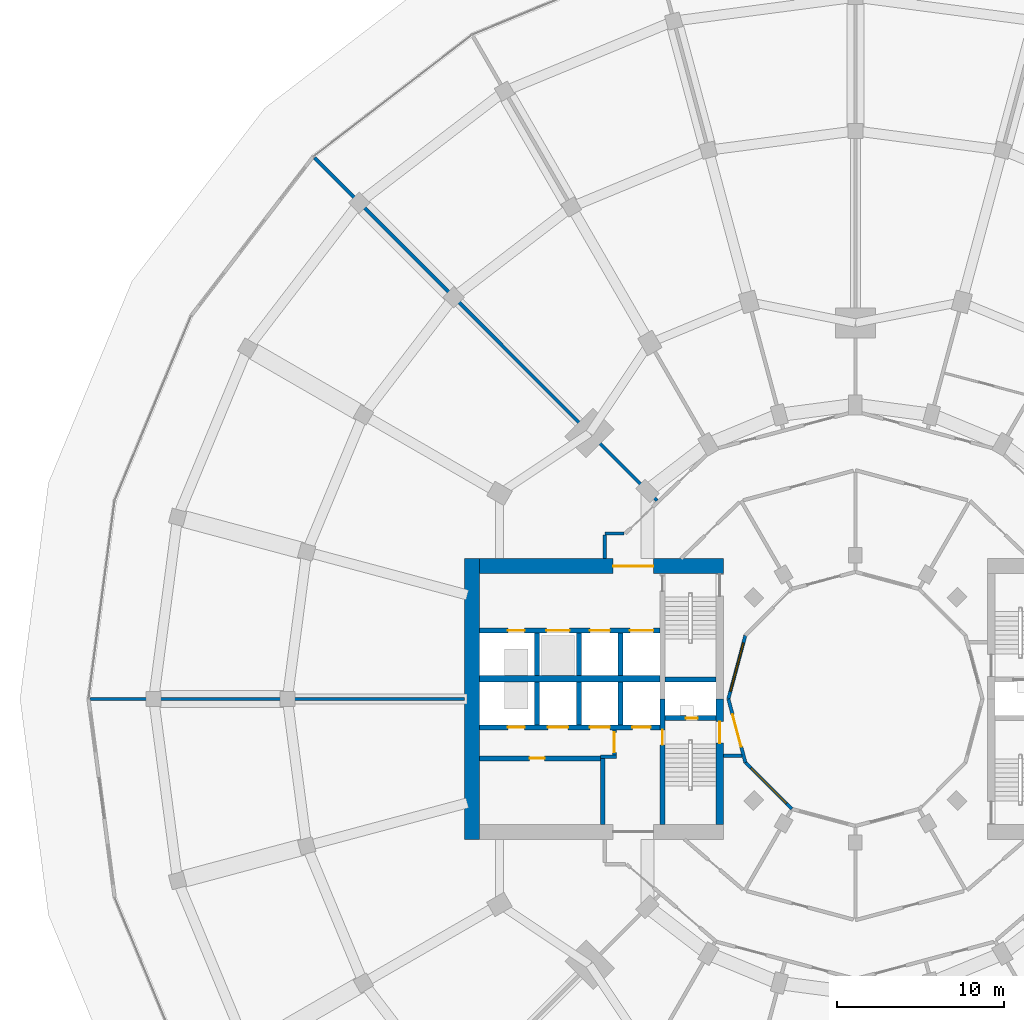
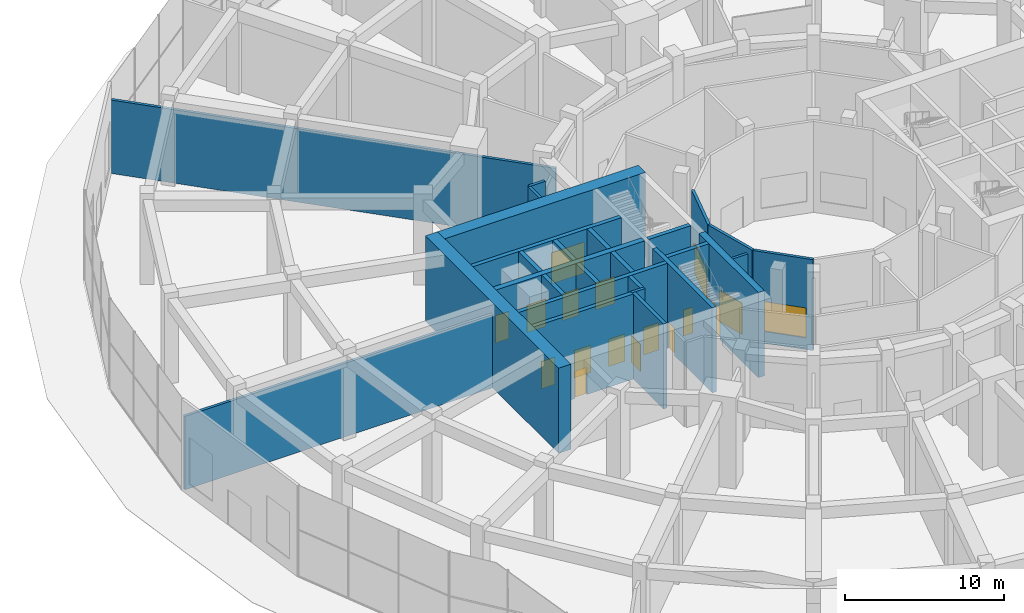
# One storey, part 25 of 31: 27 walls, 15 doors, 2 windows, 17 openings.
"""IFC4 building model written with IfcOpenShell, lengths in metres."""

from ifc_helpers import new_model, si_unit, direction, frame, frame_2d, origin, place, context, subcontext, project, spatial, rectangle, extrude, material, layer, layer_set, type_object, element, fill, save


model = new_model("IFC4")

# Units and contexts
model_context = context("Model", 3, precision=1e-05, world=origin(), true_north=direction((0.0, 1.0)))
body_context = subcontext(model_context, "Body", "Model", "MODEL_VIEW")
ifc_project = project(units=[si_unit("LENGTHUNIT", "METRE"), si_unit("AREAUNIT", "SQUARE_METRE"), si_unit("VOLUMEUNIT", "CUBIC_METRE"), si_unit("PLANEANGLEUNIT", "RADIAN"), si_unit("MASSUNIT", "GRAM", prefix="KILO")], contexts=[model_context])

# Site, building, storey
site_placement = place(None, origin())
site = spatial("IfcSite", under=ifc_project, at=site_placement, CompositionType="ELEMENT")
building_placement = place(site_placement, origin())
building = spatial("IfcBuilding", under=site, at=building_placement, Name="Torre Brocal", CompositionType="ELEMENT")
storey_placement = place(building_placement, origin())
storey = spatial("IfcBuildingStorey", under=building, at=storey_placement, Name="L00", CompositionType="ELEMENT", Elevation=0.0)

# Walls
ifc_material_1 = material(Name="Concrete C80", Category="concrete")
ifc_layer_1 = layer(ifc_material_1, 0.199951171875)
ifc_layer_set_1 = layer_set([ifc_layer_1], Name="Concrete C80")
wall_type_1 = type_object("IfcWallType", Name="CORE WALL 200 C80 UNDER 450 SLAB", PredefinedType="SHEAR", material=ifc_layer_set_1)
wall_1_placement = place(storey_placement, frame((65.699951171875, 71.550048828125, 0.0), z_axis=(0.0, 0.0, 1.0), x_axis=(-1.0, 0.0, 0.0)))
element("IfcWall", 1, at=wall_1_placement, inside=storey, type_object=wall_type_1, Name="Wall CW200-80-S450", PredefinedType="SHEAR", context=body_context, shape_type="SweptSolid", body=[
    extrude(rectangle(XDim=0.949951171875, YDim=0.199951171875, at=frame_2d((0.47509765625, 0.0))), origin(), (0.0, 0.0, 1.0), 6.550048828125),
])
ifc_material_2 = material(Name="Concrete C80", Category="concrete")
ifc_layer_2 = layer(ifc_material_2, 0.25)
ifc_layer_set_2 = layer_set([ifc_layer_2], Name="Concrete C80")
wall_type_2 = type_object("IfcWallType", Name="CORE WALL 250 C80 UNDER 450 SLAB", PredefinedType="SHEAR", material=ifc_layer_set_2)
wall_2_placement = place(storey_placement, frame((64.875, 71.449951171875, 0.0), z_axis=(0.0, 0.0, 1.0), x_axis=(0.0, -1.0, 0.0)))
element("IfcWall", 2, at=wall_2_placement, inside=storey, type_object=wall_type_2, Name="Wall CW250-80-S450", PredefinedType="SHEAR", context=body_context, shape_type="SweptSolid", body=[
    extrude(rectangle(XDim=3.949951171875, YDim=0.25, at=frame_2d((1.97509765625, 0.0))), origin(), (0.0, 0.0, 1.0), 6.550048828125),
])

# Wall, opening, door
wall_3_placement = place(storey_placement, frame((65.574951171875, 73.14990234375, 0.0), z_axis=(0.0, 0.0, 1.0), x_axis=(0.0, -1.0, 0.0)))
wall_3 = element("IfcWall", 3, at=wall_3_placement, inside=storey, type_object=wall_type_2, Name="Wall CW250-80-S450", PredefinedType="SHEAR", context=body_context, shape_type="SweptSolid", body=[
    extrude(rectangle(XDim=1.5, YDim=0.25, at=frame_2d((0.75, 0.0))), origin(), (0.0, 0.0, 1.0), 6.550048828125),
])
opening_1_placement = place(wall_3_placement, frame((0.14990234375, 0.0, 0.0)))
opening_1 = element("IfcOpeningElement", 4, at=opening_1_placement, cuts=wall_3, Name="Opening W-D21", PredefinedType="OPENING", context=body_context, shape_type="SweptSolid", body=[
    extrude(rectangle(XDim=1.199951171875, YDim=2.10009765625, at=frame_2d((0.60009765625, 1.050048828125))), frame((0.0, 0.135009765625, 0.0), z_axis=(0.0, -1.0, 0.0), x_axis=(1.0, 0.0, 0.0)), (0.0, 0.0, 1.0), 0.27001953125),
])
ifc_material_3 = material(Name="Steel A653", Category="steel")
door_type_1 = type_object("IfcDoorType", Name="LOBBY DOOR FD120 1200X2100", OperationType="SINGLE_SWING_RIGHT", PredefinedType="DOOR", material=ifc_material_3)
door_1_placement = place(opening_1_placement, origin())
door_1 = element("IfcDoor", 5, at=door_1_placement, inside=storey, type_object=door_type_1, Name="Door W-D21", OperationType="SINGLE_SWING_LEFT", OverallHeight=2.10009765625, OverallWidth=1.199951171875, PredefinedType="DOOR", context=body_context, shape_type="SweptSolid", body=[
    extrude(rectangle(XDim=1.199951171875, YDim=2.10009765625, at=frame_2d((0.60009765625, 1.050048828125))), frame((0.0, 0.02490234375, 0.0), z_axis=(0.0, -1.0, 0.0), x_axis=(1.0, 0.0, 0.0)), (0.0, 0.0, 1.0), 0.050048828125),
])
fill(opening_1, door_1)

ifc_material_4 = material(Name="Concrete C80", Category="concrete")
ifc_layer_3 = layer(ifc_material_4, 0.300048828125)
ifc_layer_set_3 = layer_set([ifc_layer_3], Name="Concrete C80")
wall_type_3 = type_object("IfcWallType", Name="CORE WALL 300 C80 UNDER 450 SLAB", PredefinedType="SHEAR", material=ifc_layer_set_3)
wall_4_placement = place(storey_placement, frame((68.449951171875, 75.0, 0.0), z_axis=(0.0, 0.0, 1.0), x_axis=(0.0, -1.0, 0.0)))
wall_4 = element("IfcWall", 6, at=wall_4_placement, inside=storey, type_object=wall_type_3, Name="Wall CW300-80-S450", PredefinedType="SHEAR", context=body_context, shape_type="SweptSolid", body=[
    extrude(rectangle(XDim=7.5, YDim=0.300048828125, at=frame_2d((3.75, 0.0))), origin(), (0.0, 0.0, 1.0), 6.550048828125),
])
opening_2_placement = place(wall_4_placement, frame((1.85009765625, 0.0, 0.0)))
opening_2 = element("IfcOpeningElement", 7, at=opening_2_placement, cuts=wall_4, Name="Opening W-D02", PredefinedType="OPENING", context=body_context, shape_type="SweptSolid", body=[
    extrude(rectangle(XDim=0.89990234375, YDim=2.10009765625, at=frame_2d((0.449951171875, 1.050048828125))), frame((0.0, 0.159912109375, 0.0), z_axis=(0.0, -1.0, 0.0), x_axis=(1.0, 0.0, 0.0)), (0.0, 0.0, 1.0), 0.320068359375),
])
ifc_material_5 = material(Name="Steel A653", Category="steel")
door_type_2 = type_object("IfcDoorType", Name="STAIR DOOR FD120 900X2100", OperationType="SINGLE_SWING_RIGHT", PredefinedType="DOOR", material=ifc_material_5)
door_2_placement = place(opening_2_placement, origin())
door_2 = element("IfcDoor", 8, at=door_2_placement, inside=storey, type_object=door_type_2, Name="Door W-D02", OperationType="SINGLE_SWING_LEFT", OverallHeight=2.10009765625, OverallWidth=0.89990234375, PredefinedType="DOOR", context=body_context, shape_type="SweptSolid", body=[
    extrude(rectangle(XDim=0.89990234375, YDim=2.10009765625, at=frame_2d((0.449951171875, 1.050048828125))), frame((0.0, 0.02490234375, 0.0), z_axis=(0.0, -1.0, 0.0), x_axis=(1.0, 0.0, 0.0)), (0.0, 0.0, 1.0), 0.050048828125),
])
fill(opening_2, door_2)

wall_5_placement = place(storey_placement, frame((71.64990234375, 73.85009765625, 0.0), z_axis=(0.0, 0.0, 1.0), x_axis=(-1.0, 0.0, 0.0)))
wall_5 = element("IfcWall", 9, at=wall_5_placement, inside=storey, type_object=wall_type_3, Name="Wall CW300-80-S450", PredefinedType="SHEAR", context=body_context, shape_type="SweptSolid", body=[
    extrude(rectangle(XDim=3.0498046875, YDim=0.300048828125, at=frame_2d((1.52490234375, 0.0))), origin(), (0.0, 0.0, 1.0), 6.550048828125),
])
opening_3_placement = place(wall_5_placement, frame((1.10009765625, 0.0, 0.0)))
opening_3 = element("IfcOpeningElement", 10, at=opening_3_placement, cuts=wall_5, Name="Opening W-D01", PredefinedType="OPENING", context=body_context, shape_type="SweptSolid", body=[
    extrude(rectangle(XDim=0.699951171875, YDim=2.0, at=frame_2d((0.35009765625, 1.0))), frame((0.0, 0.159912109375, 0.0), z_axis=(0.0, -1.0, 0.0), x_axis=(1.0, 0.0, 0.0)), (0.0, 0.0, 1.0), 0.320068359375),
])
ifc_material_6 = material(Name="Steel A653", Category="steel")
door_type_3 = type_object("IfcDoorType", Name="RISER DOOR FD120 700X2000", OperationType="SINGLE_SWING_LEFT", PredefinedType="DOOR", material=ifc_material_6)
door_3_placement = place(opening_3_placement, frame((0.699951171875, 0.0, 0.0), z_axis=(0.0, 0.0, 1.0), x_axis=(-1.0, 0.0, 0.0)))
door_3 = element("IfcDoor", 11, at=door_3_placement, inside=storey, type_object=door_type_3, Name="Door W-D01", OperationType="SINGLE_SWING_RIGHT", OverallHeight=2.0, OverallWidth=0.699951171875, PredefinedType="DOOR", context=body_context, shape_type="SweptSolid", body=[
    extrude(rectangle(XDim=0.699951171875, YDim=2.0, at=frame_2d((0.35009765625, 1.0))), frame((0.0, 0.02490234375, 0.0), z_axis=(0.0, -1.0, 0.0), x_axis=(1.0, 0.0, 0.0)), (0.0, 0.0, 1.0), 0.050048828125),
])
fill(opening_3, door_3)

# Wall
wall_6_placement = place(storey_placement, frame((71.64990234375, 76.14990234375, 0.0), z_axis=(0.0, 0.0, 1.0), x_axis=(-1.0, 0.0, 0.0)))
element("IfcWall", 12, at=wall_6_placement, inside=storey, type_object=wall_type_3, Name="Wall CW300-80-S450", PredefinedType="SHEAR", context=body_context, shape_type="SweptSolid", body=[
    extrude(rectangle(XDim=3.0498046875, YDim=0.300048828125, at=frame_2d((1.52490234375, 0.0))), origin(), (0.0, 0.0, 1.0), 6.550048828125),
])

# Wall, openings, doors
wall_7_placement = place(storey_placement, frame((68.300048828125, 73.300048828125, 0.0), z_axis=(0.0, 0.0, 1.0), x_axis=(-1.0, 0.0, 0.0)))
wall_7 = element("IfcWall", 13, at=wall_7_placement, inside=storey, type_object=wall_type_3, Name="Wall CW300-80-S450", PredefinedType="SHEAR", context=body_context, shape_type="SweptSolid", body=[
    extrude(rectangle(XDim=10.800048828125, YDim=0.300048828125, at=frame_2d((5.39990234375, 0.0))), origin(), (0.0, 0.0, 1.0), 6.550048828125),
])
opening_4_placement = place(wall_7_placement, frame((0.550048828125, 0.0, 0.0)))
opening_4 = element("IfcOpeningElement", 14, at=opening_4_placement, cuts=wall_7, Name="Opening LD", PredefinedType="OPENING", context=body_context, shape_type="SweptSolid", body=[
    extrude(rectangle(XDim=1.10009765625, YDim=2.10009765625, at=frame_2d((0.550048828125, 1.050048828125))), frame((0.0, 0.159912109375, 0.0), z_axis=(0.0, -1.0, 0.0), x_axis=(1.0, 0.0, 0.0)), (0.0, 0.0, 1.0), 0.320068359375),
])
opening_5_placement = place(wall_7_placement, frame((3.0, 0.0, 0.0)))
opening_5 = element("IfcOpeningElement", 15, at=opening_5_placement, cuts=wall_7, Name="Opening LD12", PredefinedType="OPENING", context=body_context, shape_type="SweptSolid", body=[
    extrude(rectangle(XDim=1.199951171875, YDim=2.10009765625, at=frame_2d((0.60009765625, 1.050048828125))), frame((0.0, 0.159912109375, 0.0), z_axis=(0.0, -1.0, 0.0), x_axis=(1.0, 0.0, 0.0)), (0.0, 0.0, 1.0), 0.320068359375),
])
opening_6_placement = place(wall_7_placement, frame((5.5, 0.0, 0.0)))
opening_6 = element("IfcOpeningElement", 16, at=opening_6_placement, cuts=wall_7, Name="Opening LD12", PredefinedType="OPENING", context=body_context, shape_type="SweptSolid", body=[
    extrude(rectangle(XDim=1.199951171875, YDim=2.10009765625, at=frame_2d((0.60009765625, 1.050048828125))), frame((0.0, 0.159912109375, 0.0), z_axis=(0.0, -1.0, 0.0), x_axis=(1.0, 0.0, 0.0)), (0.0, 0.0, 1.0), 0.320068359375),
])
opening_7_placement = place(wall_7_placement, frame((8.10009765625, 0.0, 0.0)))
opening_7 = element("IfcOpeningElement", 17, at=opening_7_placement, cuts=wall_7, Name="Opening LD10", PredefinedType="OPENING", context=body_context, shape_type="SweptSolid", body=[
    extrude(rectangle(XDim=1.0, YDim=2.10009765625, at=frame_2d((0.5, 1.050048828125))), frame((0.0, 0.159912109375, 0.0), z_axis=(0.0, -1.0, 0.0), x_axis=(1.0, 0.0, 0.0)), (0.0, 0.0, 1.0), 0.320068359375),
])
ifc_material_7 = material(Name="Stainless steel AISI 316", Category="steel")
door_type_4 = type_object("IfcDoorType", Name="LIFT LANDING DOOR 1000X2100", OperationType="DOUBLE_DOOR_SLIDING", PredefinedType="DOOR", material=ifc_material_7)
door_4_placement = place(opening_7_placement, origin())
door_4 = element("IfcDoor", 18, at=door_4_placement, inside=storey, type_object=door_type_4, Name="Door LD10", OperationType="DOUBLE_DOOR_SLIDING", OverallHeight=2.10009765625, OverallWidth=1.0, PredefinedType="DOOR", context=body_context, shape_type="SweptSolid", body=[
    extrude(rectangle(XDim=1.0, YDim=2.10009765625, at=frame_2d((0.5, 1.050048828125))), frame((0.0, 0.02490234375, 0.0), z_axis=(0.0, -1.0, 0.0), x_axis=(1.0, 0.0, 0.0)), (0.0, 0.0, 1.0), 0.050048828125),
])
fill(opening_7, door_4)
ifc_material_8 = material(Name="Stainless steel AISI 316", Category="steel")
door_type_5 = type_object("IfcDoorType", Name="LIFT LANDING DOOR 1100X2100", OperationType="DOUBLE_DOOR_SLIDING", PredefinedType="DOOR", material=ifc_material_8)
door_5_placement = place(opening_4_placement, origin())
door_5 = element("IfcDoor", 19, at=door_5_placement, inside=storey, type_object=door_type_5, Name="Door LD", OperationType="DOUBLE_DOOR_SLIDING", OverallHeight=2.10009765625, OverallWidth=1.10009765625, PredefinedType="DOOR", context=body_context, shape_type="SweptSolid", body=[
    extrude(rectangle(XDim=1.10009765625, YDim=2.10009765625, at=frame_2d((0.550048828125, 1.050048828125))), frame((0.0, 0.02490234375, 0.0), z_axis=(0.0, -1.0, 0.0), x_axis=(1.0, 0.0, 0.0)), (0.0, 0.0, 1.0), 0.050048828125),
])
fill(opening_4, door_5)
ifc_material_9 = material(Name="Stainless steel AISI 316", Category="steel")
door_type_6 = type_object("IfcDoorType", Name="LIFT LANDING DOOR 1200X2100", OperationType="DOUBLE_DOOR_SLIDING", PredefinedType="DOOR", material=ifc_material_9)
door_6_placement = place(opening_5_placement, origin())
door_6 = element("IfcDoor", 20, at=door_6_placement, inside=storey, type_object=door_type_6, Name="Door LD12", OperationType="DOUBLE_DOOR_SLIDING", OverallHeight=2.10009765625, OverallWidth=1.199951171875, PredefinedType="DOOR", context=body_context, shape_type="SweptSolid", body=[
    extrude(rectangle(XDim=1.199951171875, YDim=2.10009765625, at=frame_2d((0.60009765625, 1.050048828125))), frame((0.0, 0.02490234375, 0.0), z_axis=(0.0, -1.0, 0.0), x_axis=(1.0, 0.0, 0.0)), (0.0, 0.0, 1.0), 0.050048828125),
])
fill(opening_5, door_6)
door_7_placement = place(opening_6_placement, origin())
door_7 = element("IfcDoor", 21, at=door_7_placement, inside=storey, type_object=door_type_6, Name="Door LD12", OperationType="DOUBLE_DOOR_SLIDING", OverallHeight=2.10009765625, OverallWidth=1.199951171875, PredefinedType="DOOR", context=body_context, shape_type="SweptSolid", body=[
    extrude(rectangle(XDim=1.199951171875, YDim=2.10009765625, at=frame_2d((0.60009765625, 1.050048828125))), frame((0.0, 0.02490234375, 0.0), z_axis=(0.0, -1.0, 0.0), x_axis=(1.0, 0.0, 0.0)), (0.0, 0.0, 1.0), 0.050048828125),
])
fill(opening_6, door_7)

wall_8_placement = place(storey_placement, frame((68.300048828125, 79.10009765625, 0.0), z_axis=(0.0, 0.0, 1.0), x_axis=(-1.0, 0.0, 0.0)))
wall_8 = element("IfcWall", 22, at=wall_8_placement, inside=storey, type_object=wall_type_3, Name="Wall CW300-80-S450", PredefinedType="SHEAR", context=body_context, shape_type="SweptSolid", body=[
    extrude(rectangle(XDim=10.800048828125, YDim=0.300048828125, at=frame_2d((5.39990234375, 0.0))), origin(), (0.0, 0.0, 1.0), 6.550048828125),
])
opening_8_placement = place(wall_8_placement, frame((0.39990234375, 0.0, 0.0)))
opening_8 = element("IfcOpeningElement", 23, at=opening_8_placement, cuts=wall_8, Name="Opening LD14", PredefinedType="OPENING", context=body_context, shape_type="SweptSolid", body=[
    extrude(rectangle(XDim=1.39990234375, YDim=2.10009765625, at=frame_2d((0.699951171875, 1.050048828125))), frame((0.0, 0.159912109375, 0.0), z_axis=(0.0, -1.0, 0.0), x_axis=(1.0, 0.0, 0.0)), (0.0, 0.0, 1.0), 0.320068359375),
])
opening_9_placement = place(wall_8_placement, frame((3.0, 0.0, 0.0)))
opening_9 = element("IfcOpeningElement", 24, at=opening_9_placement, cuts=wall_8, Name="Opening LD12", PredefinedType="OPENING", context=body_context, shape_type="SweptSolid", body=[
    extrude(rectangle(XDim=1.199951171875, YDim=2.10009765625, at=frame_2d((0.60009765625, 1.050048828125))), frame((0.0, 0.159912109375, 0.0), z_axis=(0.0, -1.0, 0.0), x_axis=(1.0, 0.0, 0.0)), (0.0, 0.0, 1.0), 0.320068359375),
])
opening_10_placement = place(wall_8_placement, frame((5.39990234375, 0.0, 0.0)))
opening_10 = element("IfcOpeningElement", 25, at=opening_10_placement, cuts=wall_8, Name="Opening LD14", PredefinedType="OPENING", context=body_context, shape_type="SweptSolid", body=[
    extrude(rectangle(XDim=1.39990234375, YDim=2.10009765625, at=frame_2d((0.699951171875, 1.050048828125))), frame((0.0, 0.159912109375, 0.0), z_axis=(0.0, -1.0, 0.0), x_axis=(1.0, 0.0, 0.0)), (0.0, 0.0, 1.0), 0.320068359375),
])
opening_11_placement = place(wall_8_placement, frame((8.10009765625, 0.0, 0.0)))
opening_11 = element("IfcOpeningElement", 26, at=opening_11_placement, cuts=wall_8, Name="Opening LD10", PredefinedType="OPENING", context=body_context, shape_type="SweptSolid", body=[
    extrude(rectangle(XDim=1.0, YDim=2.10009765625, at=frame_2d((0.5, 1.050048828125))), frame((0.0, 0.159912109375, 0.0), z_axis=(0.0, -1.0, 0.0), x_axis=(1.0, 0.0, 0.0)), (0.0, 0.0, 1.0), 0.320068359375),
])
door_8_placement = place(opening_11_placement, origin())
door_8 = element("IfcDoor", 27, at=door_8_placement, inside=storey, type_object=door_type_4, Name="Door LD10", OperationType="DOUBLE_DOOR_SLIDING", OverallHeight=2.10009765625, OverallWidth=1.0, PredefinedType="DOOR", context=body_context, shape_type="SweptSolid", body=[
    extrude(rectangle(XDim=1.0, YDim=2.10009765625, at=frame_2d((0.5, 1.050048828125))), frame((0.0, 0.02490234375, 0.0), z_axis=(0.0, -1.0, 0.0), x_axis=(1.0, 0.0, 0.0)), (0.0, 0.0, 1.0), 0.050048828125),
])
fill(opening_11, door_8)
door_9_placement = place(opening_9_placement, origin())
door_9 = element("IfcDoor", 28, at=door_9_placement, inside=storey, type_object=door_type_6, Name="Door LD12", OperationType="DOUBLE_DOOR_SLIDING", OverallHeight=2.10009765625, OverallWidth=1.199951171875, PredefinedType="DOOR", context=body_context, shape_type="SweptSolid", body=[
    extrude(rectangle(XDim=1.199951171875, YDim=2.10009765625, at=frame_2d((0.60009765625, 1.050048828125))), frame((0.0, 0.02490234375, 0.0), z_axis=(0.0, -1.0, 0.0), x_axis=(1.0, 0.0, 0.0)), (0.0, 0.0, 1.0), 0.050048828125),
])
fill(opening_9, door_9)
ifc_material_10 = material(Name="Stainless steel AISI 316", Category="steel")
door_type_7 = type_object("IfcDoorType", Name="LIFT LANDING DOOR 1400X2100", OperationType="DOUBLE_DOOR_SLIDING", PredefinedType="DOOR", material=ifc_material_10)
door_10_placement = place(opening_8_placement, origin())
door_10 = element("IfcDoor", 29, at=door_10_placement, inside=storey, type_object=door_type_7, Name="Door LD14", OperationType="DOUBLE_DOOR_SLIDING", OverallHeight=2.10009765625, OverallWidth=1.39990234375, PredefinedType="DOOR", context=body_context, shape_type="SweptSolid", body=[
    extrude(rectangle(XDim=1.39990234375, YDim=2.10009765625, at=frame_2d((0.699951171875, 1.050048828125))), frame((0.0, 0.02490234375, 0.0), z_axis=(0.0, -1.0, 0.0), x_axis=(1.0, 0.0, 0.0)), (0.0, 0.0, 1.0), 0.050048828125),
])
fill(opening_8, door_10)
door_11_placement = place(opening_10_placement, origin())
door_11 = element("IfcDoor", 30, at=door_11_placement, inside=storey, type_object=door_type_7, Name="Door LD14", OperationType="DOUBLE_DOOR_SLIDING", OverallHeight=2.10009765625, OverallWidth=1.39990234375, PredefinedType="DOOR", context=body_context, shape_type="SweptSolid", body=[
    extrude(rectangle(XDim=1.39990234375, YDim=2.10009765625, at=frame_2d((0.699951171875, 1.050048828125))), frame((0.0, 0.02490234375, 0.0), z_axis=(0.0, -1.0, 0.0), x_axis=(1.0, 0.0, 0.0)), (0.0, 0.0, 1.0), 0.050048828125),
])
fill(opening_10, door_11)

# Walls
for number, where, z_axis, x_axis, name in (
    (31, (65.949951171875, 76.0, 0.0), (0.0, 0.0, 1.0), (0.0, -1.0, 0.0), "Wall CW300-80-S450"),
    (32, (63.449951171875, 76.0, 0.0), (0.0, 0.0, 1.0), (0.0, -1.0, 0.0), "Wall CW300-80-S450"),
    (33, (60.949951171875, 76.0, 0.0), (0.0, 0.0, 1.0), (0.0, -1.0, 0.0), "Wall CW300-80-S450"),
    (34, (65.949951171875, 78.949951171875, 0.0), (0.0, 0.0, 1.0), (0.0, -1.0, 0.0), "Wall CW300-80-S450"),
    (35, (63.449951171875, 78.949951171875, 0.0), (0.0, 0.0, 1.0), (0.0, -1.0, 0.0), "Wall CW300-80-S450"),
    (36, (60.949951171875, 78.949951171875, 0.0), (0.0, 0.0, 1.0), (0.0, -1.0, 0.0), "Wall CW300-80-S450"),
):
    element("IfcWall", number, at=place(storey_placement, frame(where, z_axis=z_axis, x_axis=x_axis)), inside=storey, type_object=wall_type_3, Name=name, PredefinedType="SHEAR", context=body_context, shape_type="SweptSolid", body=[
        extrude(rectangle(XDim=2.550048828125, YDim=0.300048828125, at=frame_2d((1.27490234375, 0.0))), origin(), (0.0, 0.0, 1.0), 6.550048828125),
    ])

# Wall, opening, door
wall_9_placement = place(storey_placement, frame((64.75, 71.449951171875, 0.0), z_axis=(0.0, 0.0, 1.0), x_axis=(-1.0, 0.0, 0.0)))
wall_9 = element("IfcWall", 37, at=wall_9_placement, inside=storey, type_object=wall_type_3, Name="Wall CW300-80-S450", PredefinedType="SHEAR", context=body_context, shape_type="SweptSolid", body=[
    extrude(rectangle(XDim=7.25, YDim=0.300048828125, at=frame_2d((3.625, 0.0))), origin(), (0.0, 0.0, 1.0), 6.550048828125),
])
opening_12_placement = place(wall_9_placement, frame((3.35009765625, 0.0, 0.0)))
opening_12 = element("IfcOpeningElement", 38, at=opening_12_placement, cuts=wall_9, Name="Opening W-D07", PredefinedType="OPENING", context=body_context, shape_type="SweptSolid", body=[
    extrude(rectangle(XDim=0.89990234375, YDim=2.10009765625, at=frame_2d((0.449951171875, 1.050048828125))), frame((0.0, 0.159912109375, 0.0), z_axis=(0.0, -1.0, 0.0), x_axis=(1.0, 0.0, 0.0)), (0.0, 0.0, 1.0), 0.320068359375),
])
ifc_material_11 = material(Name="Steel A653", Category="steel")
door_type_8 = type_object("IfcDoorType", Name="ROOM DOOR FD30S 900X2100", OperationType="SINGLE_SWING_LEFT", PredefinedType="DOOR", material=ifc_material_11)
door_12_placement = place(opening_12_placement, origin())
door_12 = element("IfcDoor", 39, at=door_12_placement, inside=storey, type_object=door_type_8, Name="Door W-D07", OperationType="SINGLE_SWING_RIGHT", OverallHeight=2.10009765625, OverallWidth=0.89990234375, PredefinedType="DOOR", context=body_context, shape_type="SweptSolid", body=[
    extrude(rectangle(XDim=0.89990234375, YDim=2.10009765625, at=frame_2d((0.449951171875, 1.050048828125))), frame((0.0, 0.02490234375, 0.0), z_axis=(0.0, -1.0, 0.0), x_axis=(1.0, 0.0, 0.0)), (0.0, 0.0, 1.0), 0.050048828125),
])
fill(opening_12, door_12)

# Wall
ifc_material_12 = material(Name="Concrete C80", Category="concrete")
ifc_layer_4 = layer(ifc_material_12, 0.39990234375)
ifc_layer_set_4 = layer_set([ifc_layer_4], Name="Concrete C80")
wall_type_4 = type_object("IfcWallType", Name="CORE WALL 400 C80 UNDER 450 SLAB", PredefinedType="SHEAR", material=ifc_layer_set_4)
wall_10_placement = place(storey_placement, frame((68.300048828125, 76.199951171875, 0.0), z_axis=(0.0, 0.0, 1.0), x_axis=(-1.0, 0.0, 0.0)))
element("IfcWall", 40, at=wall_10_placement, inside=storey, type_object=wall_type_4, Name="Wall CW400-80-S450", PredefinedType="SHEAR", context=body_context, shape_type="SweptSolid", body=[
    extrude(rectangle(XDim=10.800048828125, YDim=0.39990234375, at=frame_2d((5.39990234375, 0.0))), origin(), (0.0, 0.0, 1.0), 6.550048828125),
])

# Wall, opening, door
ifc_material_13 = material(Name="Concrete C80", Category="concrete")
ifc_layer_5 = layer(ifc_material_13, 0.449951171875)
ifc_layer_set_5 = layer_set([ifc_layer_5], Name="Concrete C80")
wall_type_5 = type_object("IfcWallType", Name="CORE WALL 450 C80 UNDER 450 SLAB", PredefinedType="SHEAR", material=ifc_layer_set_5)
wall_11_placement = place(storey_placement, frame((71.875, 75.0, 0.0), z_axis=(0.0, 0.0, 1.0), x_axis=(0.0, -1.0, 0.0)))
wall_11 = element("IfcWall", 41, at=wall_11_placement, inside=storey, type_object=wall_type_5, Name="Wall CW450-80-S450", PredefinedType="SHEAR", context=body_context, shape_type="SweptSolid", body=[
    extrude(rectangle(XDim=7.5, YDim=0.449951171875, at=frame_2d((3.75, 0.0))), origin(), (0.0, 0.0, 1.0), 6.550048828125),
])
opening_13_placement = place(wall_11_placement, frame((1.35009765625, 0.0, 0.0)))
opening_13 = element("IfcOpeningElement", 42, at=opening_13_placement, cuts=wall_11, Name="Opening W-D16", PredefinedType="OPENING", context=body_context, shape_type="SweptSolid", body=[
    extrude(rectangle(XDim=1.300048828125, YDim=2.39990234375, at=frame_2d((0.64990234375, 1.199951171875))), frame((0.0, 0.23486328125, 0.0), z_axis=(0.0, -1.0, 0.0), x_axis=(1.0, 0.0, 0.0)), (0.0, 0.0, 1.0), 0.469970703125),
])
ifc_material_14 = material(Name="Steel A653", Category="steel")
door_type_9 = type_object("IfcDoorType", Name="STAIR EXIT DOOR FD120 1300X2400", OperationType="DOUBLE_DOOR_SINGLE_SWING", PredefinedType="DOOR", material=ifc_material_14)
door_13_placement = place(opening_13_placement, frame((1.300048828125, 0.0, 0.0), z_axis=(0.0, 0.0, 1.0), x_axis=(-1.0, 0.0, 0.0)))
door_13 = element("IfcDoor", 43, at=door_13_placement, inside=storey, type_object=door_type_9, Name="Door W-D16", OperationType="DOUBLE_DOOR_SINGLE_SWING", OverallHeight=2.39990234375, OverallWidth=1.300048828125, PredefinedType="DOOR", context=body_context, shape_type="SweptSolid", body=[
    extrude(rectangle(XDim=1.300048828125, YDim=2.39990234375, at=frame_2d((0.64990234375, 1.199951171875))), frame((0.0, 0.02490234375, 0.0), z_axis=(0.0, -1.0, 0.0), x_axis=(1.0, 0.0, 0.0)), (0.0, 0.0, 1.0), 0.050048828125),
])
fill(opening_13, door_13)

ifc_material_15 = material(Name="Concrete C80", Category="concrete")
ifc_layer_6 = layer(ifc_material_15, 0.89990234375)
ifc_layer_set_6 = layer_set([ifc_layer_6], Name="Concrete C80")
wall_type_6 = type_object("IfcWallType", Name="CORE WALL 900 C80 UNDER 450 SLAB", PredefinedType="SHEAR", material=ifc_layer_set_6)
wall_12_placement = place(storey_placement, frame((72.10009765625, 82.949951171875, 0.0), z_axis=(0.0, 0.0, 1.0), x_axis=(-1.0, 0.0, 0.0)))
wall_12 = element("IfcWall", 44, at=wall_12_placement, inside=storey, type_object=wall_type_6, Name="Wall CW900-80-S450", PredefinedType="SHEAR", context=body_context, shape_type="SweptSolid", body=[
    extrude(rectangle(XDim=14.60009765625, YDim=0.89990234375, at=frame_2d((7.300048828125, 0.0))), origin(), (0.0, 0.0, 1.0), 6.550048828125),
])
opening_14_placement = place(wall_12_placement, frame((4.199951171875, 0.0, 0.0)))
opening_14 = element("IfcOpeningElement", 45, at=opening_14_placement, cuts=wall_12, Name="Opening W-D30", PredefinedType="OPENING", context=body_context, shape_type="SweptSolid", body=[
    extrude(rectangle(XDim=2.39990234375, YDim=2.39990234375, at=frame_2d((1.199951171875, 1.199951171875))), frame((0.0, 0.4599609375, 0.0), z_axis=(0.0, -1.0, 0.0), x_axis=(1.0, 0.0, 0.0)), (0.0, 0.0, 1.0), 0.919921875),
])
ifc_material_16 = material(Name="Steel A653", Category="steel")
door_type_10 = type_object("IfcDoorType", Name="DOUBLE FIRE DOOR FD90 2400X2400", OperationType="DOUBLE_DOOR_SINGLE_SWING", PredefinedType="DOOR", material=ifc_material_16)
door_14_placement = place(opening_14_placement, origin())
door_14 = element("IfcDoor", 46, at=door_14_placement, inside=storey, type_object=door_type_10, Name="Door W-D30", OperationType="DOUBLE_DOOR_SINGLE_SWING", OverallHeight=2.39990234375, OverallWidth=2.39990234375, PredefinedType="DOOR", context=body_context, shape_type="SweptSolid", body=[
    extrude(rectangle(XDim=2.39990234375, YDim=2.39990234375, at=frame_2d((1.199951171875, 1.199951171875))), frame((0.0, 0.02490234375, 0.0), z_axis=(0.0, -1.0, 0.0), x_axis=(1.0, 0.0, 0.0)), (0.0, 0.0, 1.0), 0.050048828125),
])
fill(opening_14, door_14)

# Walls
wall_13_placement = place(storey_placement, frame((57.050048828125, 83.39990234375, 0.0), z_axis=(0.0, 0.0, 1.0), x_axis=(0.0, -1.0, 0.0)))
element("IfcWall", 47, at=wall_13_placement, inside=storey, type_object=wall_type_6, Name="Wall CW900-80-S450", PredefinedType="SHEAR", context=body_context, shape_type="SweptSolid", body=[
    extrude(rectangle(XDim=16.7998046875, YDim=0.89990234375, at=frame_2d((8.39990234375, 0.0))), origin(), (0.0, 0.0, 1.0), 6.550048828125),
])
ifc_material_17 = material(Name="Gypsum board", Category="Gypsum")
ifc_layer_7 = layer(ifc_material_17, 0.199951171875)
ifc_layer_set_7 = layer_set([ifc_layer_7], Name="Gypsum board")
wall_type_7 = type_object("IfcWallType", Name="PARTITION 200 EI60", PredefinedType="PARTITIONING", material=ifc_layer_set_7)
wall_14_placement = place(storey_placement, frame((65.0, 83.40087890625, 0.0), z_axis=(0.0, 0.0, 1.0), x_axis=(0.0, 1.0, 0.0)))
element("IfcWall", 48, at=wall_14_placement, inside=storey, type_object=wall_type_7, Name="CORRIDOR WALL", PredefinedType="PARTITIONING", context=body_context, shape_type="SweptSolid", body=[
    extrude(rectangle(XDim=1.399169921875, YDim=0.199951171875, at=frame_2d((0.69970703125, 0.0))), origin(), (0.0, 0.0, 1.0), 6.550048828125),
])
wall_15_placement = place(storey_placement, frame((65.0, 84.89990234375, 0.0), z_axis=(0.0, 0.0, 1.0), x_axis=(1.0, 0.0, 0.0)))
element("IfcWall", 49, at=wall_15_placement, inside=storey, type_object=wall_type_7, Name="CORRIDOR WALL", PredefinedType="PARTITIONING", context=body_context, shape_type="SweptSolid", body=[
    extrude(rectangle(XDim=1.159912109375, YDim=0.199951171875, at=frame_2d((0.580078125, 0.0))), origin(), (0.0, 0.0, 1.0), 6.550048828125),
])
wall_16_placement = place(storey_placement, frame((73.2041015625, 71.60009765625, 0.0), z_axis=(0.0, 0.0, 1.0), x_axis=(-1.0, 0.0, 0.0)))
element("IfcWall", 50, at=wall_16_placement, inside=storey, type_object=wall_type_7, Name="PARTY PARTITION", PredefinedType="PARTITIONING", context=body_context, shape_type="SweptSolid", body=[
    extrude(rectangle(XDim=1.10400390625, YDim=0.199951171875, at=frame_2d((0.552001953125, 0.0))), origin(), (0.0, 0.0, 1.0), 6.550048828125),
])
ifc_material_18 = material(Name="Gypsum board", Category="Gypsum")
ifc_layer_8 = layer(ifc_material_18, 0.199951171875)
ifc_layer_set_8 = layer_set([ifc_layer_8], Name="Gypsum board")
wall_type_8 = type_object("IfcWallType", Name="PARTITION 200 EI60 UNDER BEAM 1350", PredefinedType="PARTITIONING", material=ifc_layer_set_8)
wall_17_placement = place(storey_placement, frame((34.202880859375, 75.0, 0.0), z_axis=(0.0, 0.0, 1.0), x_axis=(1.0, 0.0, 0.0)))
element("IfcWall", 51, at=wall_17_placement, inside=storey, type_object=wall_type_8, Name="PARTY PARTITION", PredefinedType="PARTITIONING", context=body_context, shape_type="SweptSolid", body=[
    extrude(rectangle(XDim=22.396240234375, YDim=0.199951171875, at=frame_2d((11.1982421875, 0.0))), origin(), (0.0, 0.0, 1.0), 5.64990234375),
])
wall_18_placement = place(storey_placement, frame((47.623291015625, 107.39208984375, 0.0), z_axis=(0.0, 0.0, 1.0), x_axis=(0.70693841041, -0.707275111882, 0.0)))
element("IfcWall", 52, at=wall_18_placement, inside=storey, type_object=wall_type_8, Name="PARTY PARTITION", PredefinedType="PARTITIONING", context=body_context, shape_type="SweptSolid", body=[
    extrude(rectangle(XDim=29.00390625, YDim=0.199951171875, at=frame_2d((14.501953125, 0.0))), origin(), (0.0, 0.0, 1.0), 5.64990234375),
])

# Wall, opening, window
ifc_material_19 = material(Name="Concrete C40", Category="concrete")
ifc_layer_9 = layer(ifc_material_19, 0.199951171875)
ifc_layer_set_9 = layer_set([ifc_layer_9], Name="Concrete C40")
wall_type_9 = type_object("IfcWallType", Name="WELL FACADE WALL 200", PredefinedType="NOTDEFINED", material=ifc_layer_set_9)
wall_19_placement = place(storey_placement, frame((73.4150390625, 78.8017578125, 0.0), z_axis=(0.0, 0.0, 1.0), x_axis=(-0.258789828301, -0.965933654434, 0.0)))
wall_19 = element("IfcWall", 53, at=wall_19_placement, inside=storey, type_object=wall_type_9, Name="WELL FACADE WALL", PredefinedType="NOTDEFINED", context=body_context, shape_type="SweptSolid", body=[
    extrude(rectangle(XDim=3.935791015625, YDim=0.199951171875, at=frame_2d((1.9677734375, 0.0))), origin(), (0.0, 0.0, 1.0), 7.0),
])
opening_15_placement = place(wall_19_placement, frame((0.468017578125, 0.0, 0.89990234375)))
opening_15 = element("IfcOpeningElement", 54, at=opening_15_placement, cuts=wall_19, Name="Opening W1", PredefinedType="OPENING", context=body_context, shape_type="SweptSolid", body=[
    extrude(rectangle(XDim=3.0, YDim=2.300048828125, at=frame_2d((1.5, 1.14990234375))), frame((0.0, 0.10986328125, 0.0), z_axis=(0.0, -1.0, 0.0), x_axis=(1.0, 0.0, 0.0)), (0.0, 0.0, 1.0), 0.219970703125),
])
ifc_material_20 = material(Name="Aluminium and glass", Category="aluminium")
window_type = type_object("IfcWindowType", Name="WELL WINDOW 3000X2300", PartitioningType="SINGLE_PANEL", PredefinedType="WINDOW", material=ifc_material_20)
window_1_placement = place(opening_15_placement, origin())
window_1 = element("IfcWindow", 55, at=window_1_placement, inside=storey, type_object=window_type, Name="WELL WINDOW 3000X2300", OverallHeight=2.300048828125, OverallWidth=3.0, PartitioningType="SINGLE_PANEL", PredefinedType="WINDOW", context=body_context, shape_type="SweptSolid", body=[
    extrude(rectangle(XDim=3.0, YDim=2.300048828125, at=frame_2d((1.5, 1.14990234375))), frame((0.0, 0.030029296875, 0.0), z_axis=(0.0, -1.0, 0.0), x_axis=(1.0, 0.0, 0.0)), (0.0, 0.0, 1.0), 0.06005859375),
])
fill(opening_15, window_1)

# Wall, opening, door
wall_20_placement = place(storey_placement, frame((72.396484375, 75.0, 0.0), z_axis=(0.0, 0.0, 1.0), x_axis=(0.258789828301, -0.965933654434, 0.0)))
wall_20 = element("IfcWall", 56, at=wall_20_placement, inside=storey, type_object=wall_type_9, Name="WELL FACADE WALL", PredefinedType="NOTDEFINED", context=body_context, shape_type="SweptSolid", body=[
    extrude(rectangle(XDim=3.935791015625, YDim=0.199951171875, at=frame_2d((1.9677734375, 0.0))), origin(), (0.0, 0.0, 1.0), 7.0),
])
opening_16_placement = place(wall_20_placement, frame((0.968017578125, 0.0, 0.0)))
opening_16 = element("IfcOpeningElement", 57, at=opening_16_placement, cuts=wall_20, Name="Opening L00-E15", PredefinedType="OPENING", context=body_context, shape_type="SweptSolid", body=[
    extrude(rectangle(XDim=2.0, YDim=2.39990234375, at=frame_2d((1.0, 1.199951171875))), frame((0.0, 0.10986328125, 0.0), z_axis=(0.0, -1.0, 0.0), x_axis=(1.0, 0.0, 0.0)), (0.0, 0.0, 1.0), 0.219970703125),
])
ifc_material_21 = material(Name="Aluminium and glass", Category="aluminium")
door_type_11 = type_object("IfcDoorType", Name="COURT DOOR 2000X2400", OperationType="DOUBLE_DOOR_SINGLE_SWING", PredefinedType="DOOR", material=ifc_material_21)
door_15_placement = place(opening_16_placement, origin())
door_15 = element("IfcDoor", 58, at=door_15_placement, inside=storey, type_object=door_type_11, Name="DOOR L00-E15", OperationType="DOUBLE_DOOR_SINGLE_SWING", OverallHeight=2.39990234375, OverallWidth=2.0, PredefinedType="DOOR", context=body_context, shape_type="SweptSolid", body=[
    extrude(rectangle(XDim=2.0, YDim=2.39990234375, at=frame_2d((1.0, 1.199951171875))), frame((0.0, 0.02490234375, 0.0), z_axis=(0.0, -1.0, 0.0), x_axis=(1.0, 0.0, 0.0)), (0.0, 0.0, 1.0), 0.050048828125),
])
fill(opening_16, door_15)

# Wall, opening, window
wall_21_placement = place(storey_placement, frame((73.4150390625, 71.1982421875, 0.0), z_axis=(0.0, 0.0, 1.0), x_axis=(0.707106781187, -0.707106781187, 0.0)))
wall_21 = element("IfcWall", 59, at=wall_21_placement, inside=storey, type_object=wall_type_9, Name="WELL FACADE WALL", PredefinedType="NOTDEFINED", context=body_context, shape_type="SweptSolid", body=[
    extrude(rectangle(XDim=3.93603515625, YDim=0.199951171875, at=frame_2d((1.968017578125, 0.0))), origin(), (0.0, 0.0, 1.0), 7.0),
])
opening_17_placement = place(wall_21_placement, frame((0.468017578125, 0.0, 0.89990234375)))
opening_17 = element("IfcOpeningElement", 60, at=opening_17_placement, cuts=wall_21, Name="Opening W1", PredefinedType="OPENING", context=body_context, shape_type="SweptSolid", body=[
    extrude(rectangle(XDim=3.0, YDim=2.300048828125, at=frame_2d((1.5, 1.14990234375))), frame((0.0, 0.10986328125, 0.0), z_axis=(0.0, -1.0, 0.0), x_axis=(1.0, 0.0, 0.0)), (0.0, 0.0, 1.0), 0.219970703125),
])
window_2_placement = place(opening_17_placement, origin())
window_2 = element("IfcWindow", 61, at=window_2_placement, inside=storey, type_object=window_type, Name="WELL WINDOW 3000X2300", OverallHeight=2.300048828125, OverallWidth=3.0, PartitioningType="SINGLE_PANEL", PredefinedType="WINDOW", context=body_context, shape_type="SweptSolid", body=[
    extrude(rectangle(XDim=3.0, YDim=2.300048828125, at=frame_2d((1.5, 1.14990234375))), frame((0.0, 0.030029296875, 0.0), z_axis=(0.0, -1.0, 0.0), x_axis=(1.0, 0.0, 0.0)), (0.0, 0.0, 1.0), 0.06005859375),
])
fill(opening_17, window_2)

save(model, "model.ifc")
